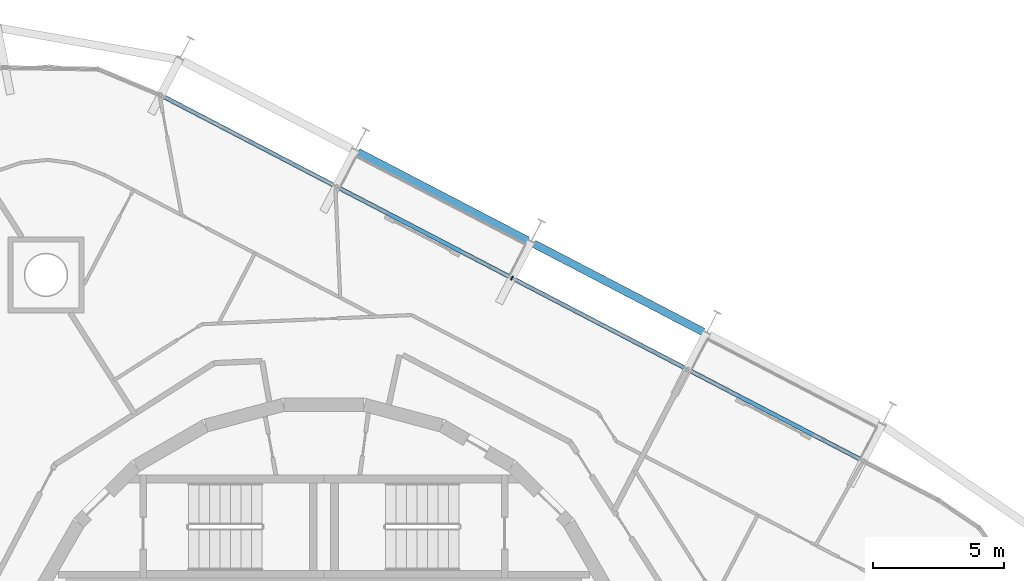
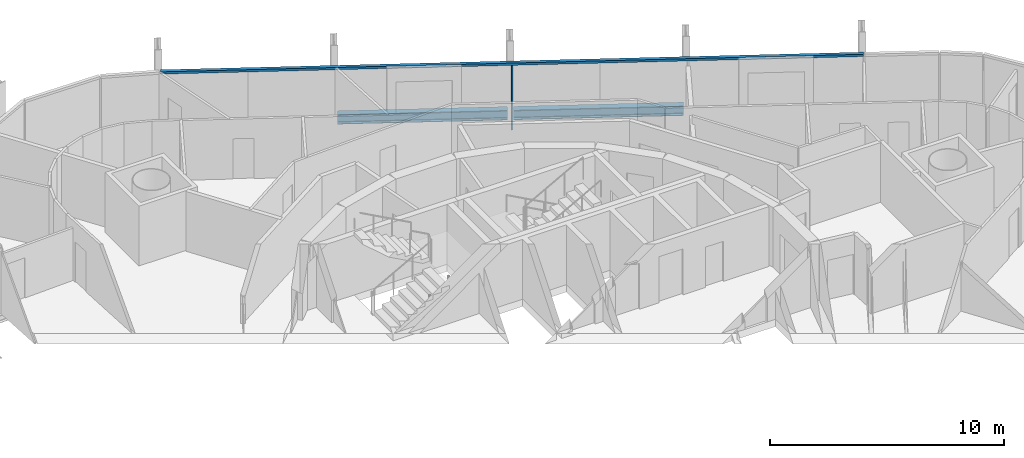
# One storey, part 7 of 17: 2 beams, 2 members, 1 element without a shape of its own.
"""IFC4 building model written with IfcOpenShell, lengths in metres."""

from ifc_helpers import new_model, si_unit, direction, frame, origin, origin_2d, place, context, subcontext, project, spatial, rectangle, i_section, extrude, material, layer, layer_set, material_profile, profile_set, type_object, element, aggregate, save


model = new_model("IFC4")

# Units and contexts
model_context = context("Model", 3, precision=1e-05, world=origin(), true_north=direction((0.0, 1.0)))
body_context = subcontext(model_context, "Body", "Model", "MODEL_VIEW")
ifc_project = project(units=[si_unit("LENGTHUNIT", "METRE"), si_unit("AREAUNIT", "SQUARE_METRE"), si_unit("VOLUMEUNIT", "CUBIC_METRE"), si_unit("PLANEANGLEUNIT", "RADIAN"), si_unit("MASSUNIT", "GRAM", prefix="KILO")], contexts=[model_context])

# Site, building, storey
site_placement = place(None, origin())
site = spatial("IfcSite", under=ifc_project, at=site_placement, CompositionType="ELEMENT")
building_placement = place(site_placement, origin())
building = spatial("IfcBuilding", under=site, at=building_placement, Name="Spindle Arch Residences", CompositionType="ELEMENT")
storey_placement = place(building_placement, frame((0.0, 0.0, 237.199951171875)))
storey = spatial("IfcBuildingStorey", under=building, at=storey_placement, Name="L60", CompositionType="ELEMENT", Elevation=237.199951171875)

# Curtain wall, members
ifc_material_1 = material(Name="Aluminium bronze unitised frame with tinted glass", Category="aluminium")
ifc_layer = layer(ifc_material_1, 0.159912109375)
ifc_layer_set = layer_set([ifc_layer], Name="CW-C typical residential unitised wall")
curtain_wall_type = type_object("IfcCurtainWallType", Name="CW-C typical residential unitised wall", PredefinedType="NOTDEFINED", material=ifc_layer_set)
curtain_wall_placement = place(storey_placement, origin())
curtain_wall = element("IfcCurtainWall", 1, at=curtain_wall_placement, inside=storey, type_object=curtain_wall_type, Name="CW-C L60 run 2", PredefinedType="NOTDEFINED")
ifc_material_2 = material(Name="Aluminium bronze anodised mullion", Category="aluminium")
ifc_material_profile_1 = material_profile(ifc_material_2, rectangle(XDim=0.159912109375, YDim=0.06005859375, at=origin_2d()), Name="MU 60x160")
ifc_profile_set_1 = profile_set([ifc_material_profile_1], Name="Aluminium bronze anodised mullion")
member_type_1 = type_object("IfcMemberType", Name="Bronze mullion 60x160", PredefinedType="MULLION", material=ifc_profile_set_1)
member_1_placement = place(storey_placement, frame((7.15869140625, 16.4697265625, -0.3798828125), z_axis=(0.0, 0.0, 1.0), x_axis=(-0.461748613235, -0.887010833178, 0.0)))
member_1 = element("IfcMember", 2, at=member_1_placement, type_object=member_type_1, Name="CW-C mullion 07", PredefinedType="MULLION", context=body_context, shape_type="SweptSolid", body=[
    extrude(rectangle(XDim=0.159912109375, YDim=0.06005859375, at=origin_2d()), origin(), (0.0, 0.0, 1.0), 3.3798828125),
])
ifc_material_3 = material(Name="Aluminium bronze anodised transom", Category="aluminium")
ifc_material_profile_2 = material_profile(ifc_material_3, rectangle(XDim=0.159912109375, YDim=0.1201171875, at=origin_2d()), Name="TR 120x160")
ifc_profile_set_2 = profile_set([ifc_material_profile_2], Name="Aluminium bronze anodised transom")
member_type_2 = type_object("IfcMemberType", Name="Bronze transom 120x160", PredefinedType="USERDEFINED", material=ifc_profile_set_2)
member_2_placement = place(storey_placement, frame((20.49072265625, 9.529541015625, 3.06005859375), z_axis=(-0.887009936453, 0.461750335825, 0.0), x_axis=(-0.461750335825, -0.887009936453, 0.0)))
member_2 = element("IfcMember", 3, at=member_2_placement, type_object=member_type_2, Name="CW-C transom 00", ObjectType="TRANSOM", PredefinedType="USERDEFINED", context=body_context, shape_type="SweptSolid", body=[
    extrude(rectangle(XDim=0.159912109375, YDim=0.1201171875, at=origin_2d()), origin(), (0.0, 0.0, 1.0), 30.060302734375),
])
aggregate(curtain_wall, [member_2, member_1])

# Beams
ifc_material_4 = material(Name="Steel S460ML, intumescent coating R 120", Category="steel")
ifc_material_profile_3 = material_profile(ifc_material_4, i_section(OverallWidth=0.300048828125, OverallDepth=0.5, WebThickness=0.014404296875, FlangeThickness=0.028076171875, FilletRadius=0.027099609375, at=origin_2d()), Name="HEB 500")
ifc_profile_set_3 = profile_set([ifc_material_profile_3], Name="Steel S460ML, intumescent coating R 120")
beam_type = type_object("IfcBeamType", Name="Exoskeleton edge beam HEB 500", PredefinedType="BEAM", material=ifc_profile_set_3)
for number, where, z_axis, x_axis, name in (
    (4, (14.43359375, 14.418701171875, -0.6298828125), (-0.887007222688, 0.461755548857, 0.0), (-0.461755548857, -0.887007222688, 0.0), "Exoskeleton edge beam 7"),
    (5, (7.75439453125, 17.895751953125, -0.6298828125), (-0.887007222688, 0.461755548857, 0.0), (-0.461755548857, -0.887007222688, 0.0), "Exoskeleton edge beam 8"),
):
    element("IfcBeam", number, at=place(storey_placement, frame(where, z_axis=z_axis, x_axis=x_axis)), inside=storey, type_object=beam_type, Name=name, PredefinedType="BEAM", context=body_context, shape_type="SweptSolid", body=[
        extrude(i_section(OverallWidth=0.300048828125, OverallDepth=0.5, WebThickness=0.014404296875, FlangeThickness=0.028076171875, FilletRadius=0.027099609375, at=origin_2d()), origin(), (0.0, 0.0, 1.0), 7.27001953125),
    ])

save(model, "model.ifc")
